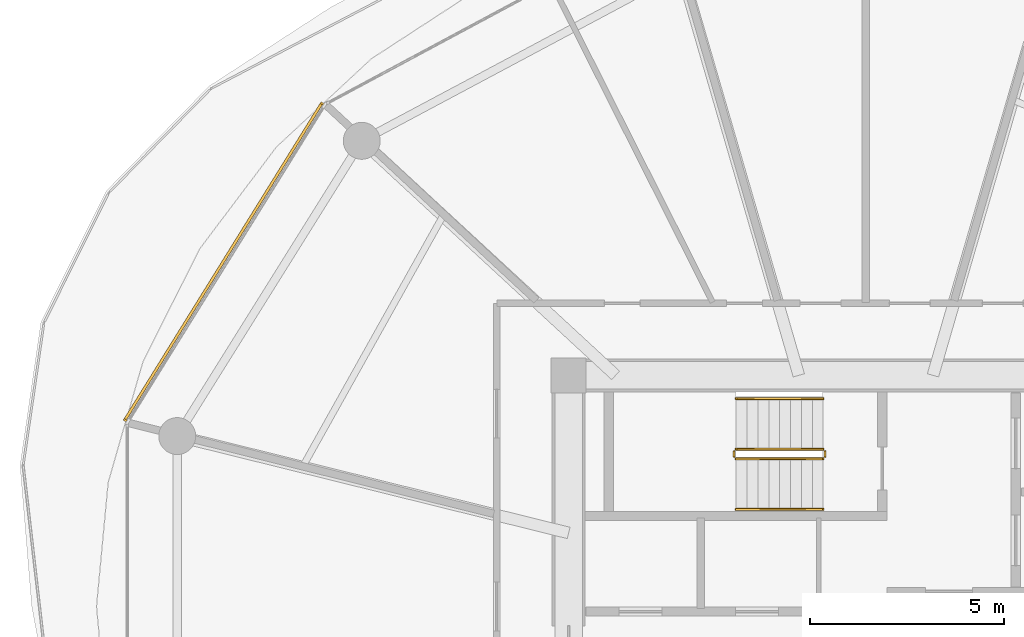
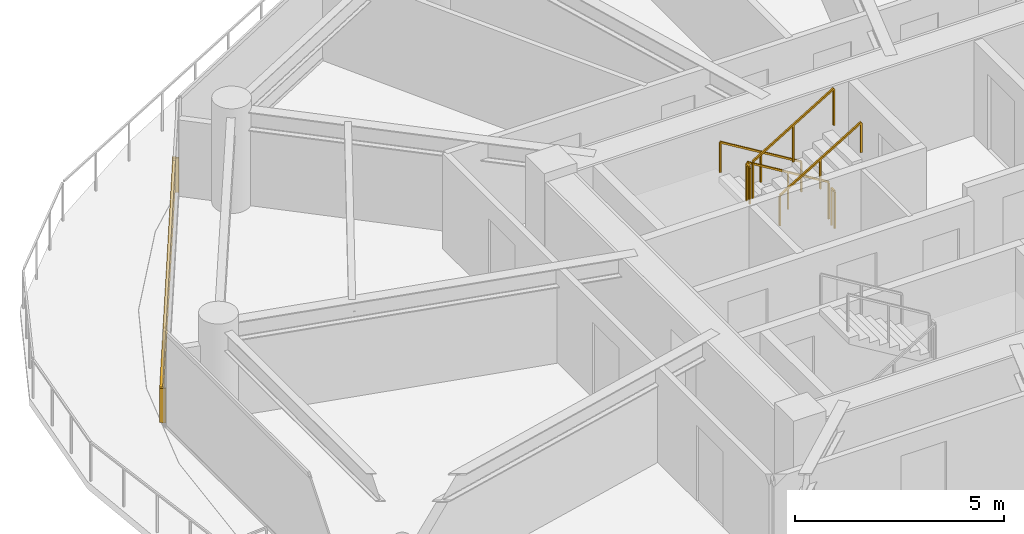
# One storey, part 23 of 26: 6 railings, 1 shading device.
"""IFC4 building model written with IfcOpenShell, lengths in metres."""

from ifc_helpers import new_model, si_unit, direction, frame, origin, origin_2d, place, context, subcontext, project, spatial, rectangle, extrude, source, transform, mapped, material, type_object, type_shapes, element, save


model = new_model("IFC4")

# Units and contexts
model_context = context("Model", 3, precision=1e-05, world=origin(), true_north=direction((0.0, 1.0)))
body_context = subcontext(model_context, "Body", "Model", "MODEL_VIEW")
ifc_project = project(units=[si_unit("LENGTHUNIT", "METRE"), si_unit("AREAUNIT", "SQUARE_METRE"), si_unit("VOLUMEUNIT", "CUBIC_METRE"), si_unit("PLANEANGLEUNIT", "RADIAN"), si_unit("MASSUNIT", "GRAM", prefix="KILO")], contexts=[model_context])

# Site, building, storey
site_placement = place(None, origin())
site = spatial("IfcSite", under=ifc_project, at=site_placement, CompositionType="ELEMENT")
building_placement = place(site_placement, origin())
building = spatial("IfcBuilding", under=site, at=building_placement, Name="Norrkilde Senior Care Towers", CompositionType="ELEMENT")
storey_placement = place(building_placement, frame((0.0, 0.0, 24.64990234375)))
storey = spatial("IfcBuildingStorey", under=building, at=storey_placement, Name="L06", CompositionType="ELEMENT", Elevation=24.64990234375)

# Railings
ifc_material_1 = material(Name="Stainless Steel", Category="steel")
railing_type_1 = type_object("IfcRailingType", Name="Stair and Terrace Guardrail 1100", PredefinedType="GUARDRAIL", material=ifc_material_1)
railing_1_placement = place(storey_placement, frame((-29.10009765625, 4.050048828125, 0.16943359375)))
element("IfcRailing", 1, at=railing_1_placement, inside=storey, type_object=railing_type_1, Name="L06 ST-W1 stair guard 1", PredefinedType="GUARDRAIL", context=body_context, shape_type="SweptSolid", body=[
    extrude(rectangle(XDim=0.048095703125, YDim=0.048095703125, at=origin_2d()), frame((0.0, 0.0, 1.076171875), z_axis=(-0.855512035549, 0.0, 0.517782924622), x_axis=(0.0, -1.0, 0.0)), (0.0, 0.0, 1.0), 2.618408203125),
    extrude(rectangle(XDim=0.0419921875, YDim=0.0419921875, at=origin_2d()), origin(), (0.0, 0.0, 1.0), 1.050048828125),
    extrude(rectangle(XDim=0.0419921875, YDim=0.0419921875, at=origin_2d()), frame((-1.1201171875, 0.0, 0.677734375)), (0.0, 0.0, 1.0), 1.050048828125),
    extrude(rectangle(XDim=0.0419921875, YDim=0.0419921875, at=origin_2d()), frame((-2.239990234375, 0.0, 1.355712890625)), (0.0, 0.0, 1.0), 1.050048828125),
])
railing_2_placement = place(storey_placement, frame((-31.389892578125, 4.0, 1.525146484375)))
element("IfcRailing", 2, at=railing_2_placement, inside=storey, type_object=railing_type_1, Name="L06 ST-W1 stair guard 2", PredefinedType="GUARDRAIL", context=body_context, shape_type="SweptSolid", body=[
    extrude(rectangle(XDim=0.048095703125, YDim=0.048095703125, at=origin_2d()), frame((0.0, 0.0, 1.076171875), z_axis=(0.0, -1.0, 0.0), x_axis=(1.0, 0.0, 0.0)), (0.0, 0.0, 1.0), 0.14990234375),
    extrude(rectangle(XDim=0.0419921875, YDim=0.0419921875, at=origin_2d()), origin(), (0.0, 0.0, 1.0), 1.050048828125),
    extrude(rectangle(XDim=0.0419921875, YDim=0.0419921875, at=origin_2d()), frame((0.0, -0.14990234375, 0.0)), (0.0, 0.0, 1.0), 1.050048828125),
])
railing_3_placement = place(storey_placement, frame((-31.340087890625, 3.800048828125, 1.694580078125)))
element("IfcRailing", 3, at=railing_3_placement, inside=storey, type_object=railing_type_1, Name="L06 ST-W1 stair guard 3", PredefinedType="GUARDRAIL", context=body_context, shape_type="SweptSolid", body=[
    extrude(rectangle(XDim=0.048095703125, YDim=0.048095703125, at=origin_2d()), frame((0.0, 0.0, 1.076171875), z_axis=(0.855553338991, 0.0, 0.51771467445), x_axis=(0.0, 1.0, 0.0)), (0.0, 0.0, 1.0), 2.6181640625),
    extrude(rectangle(XDim=0.0419921875, YDim=0.0419921875, at=origin_2d()), origin(), (0.0, 0.0, 1.0), 1.050048828125),
    extrude(rectangle(XDim=0.0419921875, YDim=0.0419921875, at=origin_2d()), frame((1.1201171875, 0.0, 0.677734375)), (0.0, 0.0, 1.0), 1.050048828125),
    extrude(rectangle(XDim=0.0419921875, YDim=0.0419921875, at=origin_2d()), frame((2.239990234375, 0.0, 1.35546875)), (0.0, 0.0, 1.0), 1.050048828125),
])
railing_4_placement = place(storey_placement, frame((-29.050048828125, 4.0, 0.0)))
element("IfcRailing", 4, at=railing_4_placement, inside=storey, type_object=railing_type_1, Name="L06 ST-W1 stair guard 4", PredefinedType="GUARDRAIL", context=body_context, shape_type="SweptSolid", body=[
    extrude(rectangle(XDim=0.048095703125, YDim=0.048095703125, at=origin_2d()), frame((0.0, 0.0, 1.076171875), z_axis=(0.0, -1.0, 0.0), x_axis=(1.0, 0.0, 0.0)), (0.0, 0.0, 1.0), 0.14990234375),
    extrude(rectangle(XDim=0.0419921875, YDim=0.0419921875, at=origin_2d()), origin(), (0.0, 0.0, 1.0), 1.050048828125),
    extrude(rectangle(XDim=0.0419921875, YDim=0.0419921875, at=origin_2d()), frame((0.0, -0.14990234375, 0.0)), (0.0, 0.0, 1.0), 1.050048828125),
])
ifc_material_2 = material(Name="Nordic Ash Timber", Category="wood")
railing_type_2 = type_object("IfcRailingType", Name="Wall and Stair Handrail 900", PredefinedType="HANDRAIL", material=ifc_material_2)
railing_5_placement = place(storey_placement, frame((-29.10009765625, 5.35009765625, 0.16943359375)))
element("IfcRailing", 5, at=railing_5_placement, inside=storey, type_object=railing_type_2, Name="L06 ST-W1 stair handrail 1", PredefinedType="HANDRAIL", context=body_context, shape_type="SweptSolid", body=[
    extrude(rectangle(XDim=0.048095703125, YDim=0.048095703125, at=origin_2d()), frame((0.0, 0.0, 0.8759765625), z_axis=(-0.855512035549, 0.0, 0.517782924622), x_axis=(0.0, -1.0, 0.0)), (0.0, 0.0, 1.0), 2.618408203125),
    extrude(rectangle(XDim=0.0419921875, YDim=0.0419921875, at=origin_2d()), origin(), (0.0, 0.0, 1.0), 0.849853515625),
    extrude(rectangle(XDim=0.0419921875, YDim=0.0419921875, at=origin_2d()), frame((-1.1201171875, 0.0, 0.677734375)), (0.0, 0.0, 1.0), 0.849853515625),
    extrude(rectangle(XDim=0.0419921875, YDim=0.0419921875, at=origin_2d()), frame((-2.239990234375, 0.0, 1.355712890625)), (0.0, 0.0, 1.0), 0.849853515625),
])
railing_6_placement = place(storey_placement, frame((-31.340087890625, 2.5, 1.694580078125)))
element("IfcRailing", 6, at=railing_6_placement, inside=storey, type_object=railing_type_2, Name="L06 ST-W1 stair handrail 2", PredefinedType="HANDRAIL", context=body_context, shape_type="SweptSolid", body=[
    extrude(rectangle(XDim=0.048095703125, YDim=0.048095703125, at=origin_2d()), frame((0.0, 0.0, 0.8759765625), z_axis=(0.855553338991, 0.0, 0.51771467445), x_axis=(0.0, 1.0, 0.0)), (0.0, 0.0, 1.0), 2.6181640625),
    extrude(rectangle(XDim=0.0419921875, YDim=0.0419921875, at=origin_2d()), origin(), (0.0, 0.0, 1.0), 0.849853515625),
    extrude(rectangle(XDim=0.0419921875, YDim=0.0419921875, at=origin_2d()), frame((1.1201171875, 0.0, 0.677734375)), (0.0, 0.0, 1.0), 0.849853515625),
    extrude(rectangle(XDim=0.0419921875, YDim=0.0419921875, at=origin_2d()), frame((2.239990234375, 0.0, 1.35546875)), (0.0, 0.0, 1.0), 0.849853515625),
])

# Shading device
ifc_material_3 = material(Name="Architectural Terracotta", Category="masonry")
shading_device_type = type_object("IfcShadingDeviceType", Name="Horizontal Terracotta Baguette Rack", PredefinedType="USERDEFINED", material=ifc_material_3)
shared_shape = source(origin(), body_context, "Body", "SweptSolid", [
    extrude(rectangle(XDim=0.070068359375, YDim=0.110107421875, at=origin_2d()), frame((0.0, 0.090087890625, 0.125), z_axis=(1.0, 0.0, 0.0), x_axis=(0.0, 1.0, 0.0)), (0.0, 0.0, 1.0), 9.64892578125),
    extrude(rectangle(XDim=0.070068359375, YDim=0.110107421875, at=origin_2d()), frame((0.0, 0.090087890625, 0.375), z_axis=(1.0, 0.0, 0.0), x_axis=(0.0, 1.0, 0.0)), (0.0, 0.0, 1.0), 9.64892578125),
    extrude(rectangle(XDim=0.070068359375, YDim=0.110107421875, at=origin_2d()), frame((0.0, 0.090087890625, 0.625), z_axis=(1.0, 0.0, 0.0), x_axis=(0.0, 1.0, 0.0)), (0.0, 0.0, 1.0), 9.64892578125),
    extrude(rectangle(XDim=0.070068359375, YDim=0.110107421875, at=origin_2d()), frame((0.0, 0.090087890625, 0.875), z_axis=(1.0, 0.0, 0.0), x_axis=(0.0, 1.0, 0.0)), (0.0, 0.0, 1.0), 9.64892578125),
    extrude(rectangle(XDim=0.050048828125, YDim=0.1552734375, at=origin_2d()), frame((0.02490234375, 0.047607421875, 0.0)), (0.0, 0.0, 1.0), 1.0),
    extrude(rectangle(XDim=0.050048828125, YDim=0.1552734375, at=origin_2d()), frame((9.6240234375, 0.047607421875, 0.0)), (0.0, 0.0, 1.0), 1.0),
])
type_shapes(shading_device_type, [shared_shape])
shading_device_placement = place(storey_placement, frame((-47.009521484375, 4.731201171875, 0.080078125), z_axis=(0.0, 0.0, 1.0), x_axis=(0.527908506655, 0.849299124538, 0.0)))
element("IfcShadingDevice", 7, at=shading_device_placement, inside=storey, type_object=shading_device_type, Name="L06 Drum W Terracotta Baguette Screen 04", ObjectType="BAGUETTE", PredefinedType="USERDEFINED", context=body_context, shape_type="MappedRepresentation", body=[
    mapped(shared_shape, transform((0.0, 0.0, 0.0), x_axis=(1.0, 0.0, 0.0), y_axis=(0.0, 1.0, 0.0), z_axis=(0.0, 0.0, 1.0), scale=1.0)),
])

save(model, "model.ifc")
